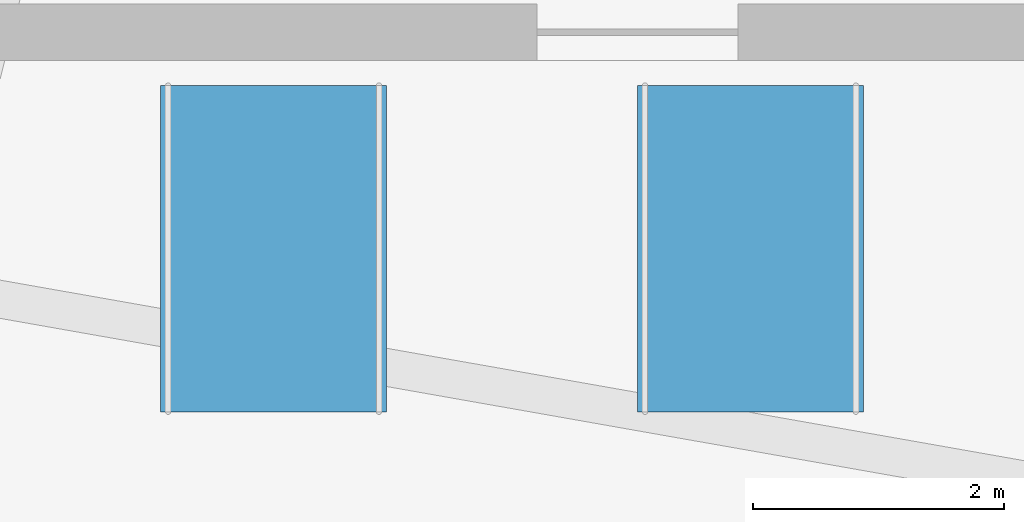
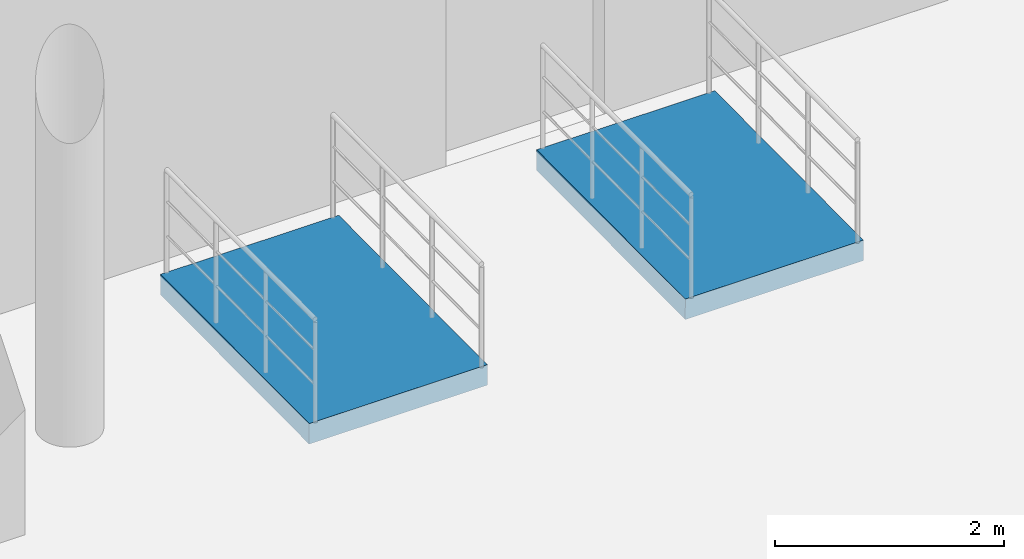
# One storey, part 57 of 64: 2 ramp flights, 2 elements without a shape of their own.
"""IFC4 building model written with IfcOpenShell, lengths in metres."""

from ifc_helpers import new_model, si_unit, direction, frame, origin, place, context, subcontext, project, spatial, polyline, outline, extrude, material, layer, layer_set, type_object, element, aggregate, save


model = new_model("IFC4")

# Units and contexts
model_context = context("Model", 3, precision=1e-05, world=origin(), true_north=direction((0.0, 1.0)))
body_context = subcontext(model_context, "Body", "Model", "MODEL_VIEW")
ifc_project = project(units=[si_unit("LENGTHUNIT", "METRE"), si_unit("AREAUNIT", "SQUARE_METRE"), si_unit("VOLUMEUNIT", "CUBIC_METRE"), si_unit("PLANEANGLEUNIT", "RADIAN"), si_unit("MASSUNIT", "GRAM", prefix="KILO")], contexts=[model_context])

# Site, building, storey
site_placement = place(None, origin())
site = spatial("IfcSite", under=ifc_project, at=site_placement, CompositionType="ELEMENT")
building_placement = place(site_placement, origin())
building = spatial("IfcBuilding", under=site, at=building_placement, Name="Clarverna Civic Hall", CompositionType="ELEMENT")
storey_placement = place(building_placement, origin())
storey = spatial("IfcBuildingStorey", under=building, at=storey_placement, Name="L00", CompositionType="ELEMENT", Elevation=0.0)

# Ramp, ramp flight
ifc_material = material(Name="Concrete C30/37", Category="concrete")
ramp_type = type_object("IfcRampType", Name="RMP-P1", PredefinedType="STRAIGHT_RUN_RAMP", material=ifc_material)
ramp_1_placement = place(storey_placement, origin())
ramp_1 = element("IfcRamp", 1, at=ramp_1_placement, inside=storey, type_object=ramp_type, Name="Pedestrian Ramp RMP-02", PredefinedType="STRAIGHT_RUN_RAMP")
ifc_layer = layer(ifc_material, 0.219970703125)
ifc_layer_set = layer_set([ifc_layer], Name="Concrete C30/37")
ramp_flight_type = type_object("IfcRampFlightType", Name="RF-P1", PredefinedType="STRAIGHT", material=ifc_layer_set)
ramp_flight_1_placement = place(storey_placement, frame((79.0, 20.199951171875, 0.0), z_axis=(0.0, -0.007699302302, 0.999970359933), x_axis=(1.0, 0.0, 0.0)))
ramp_flight_1 = element("IfcRampFlight", 2, at=ramp_flight_1_placement, type_object=ramp_flight_type, Name="RF-P1-001", PredefinedType="STRAIGHT", context=body_context, shape_type="SweptSolid", body=[
    extrude(outline(polyline([(0.0, 0.0), (1.800048828125, 0.0), (1.800048828125, 2.600174725603688), (0.0, 2.600174725603688), (0.0, 0.0)])), origin(), (0.0, 0.0, -1.0), 0.219970703125),
])
aggregate(ramp_1, [ramp_flight_1])

ramp_2_placement = place(storey_placement, origin())
ramp_2 = element("IfcRamp", 3, at=ramp_2_placement, inside=storey, type_object=ramp_type, Name="Pedestrian Ramp RMP-03", PredefinedType="STRAIGHT_RUN_RAMP")
ramp_flight_2_placement = place(storey_placement, frame((82.800048828125, 20.199951171875, 0.0), z_axis=(0.0, -0.007699302302, 0.999970359933), x_axis=(1.0, 0.0, 0.0)))
ramp_flight_2 = element("IfcRampFlight", 4, at=ramp_flight_2_placement, type_object=ramp_flight_type, Name="RF-P1-002", PredefinedType="STRAIGHT", context=body_context, shape_type="SweptSolid", body=[
    extrude(outline(polyline([(0.0, 0.0), (1.800048828125, 0.0), (1.800048828125, 2.600174725603688), (0.0, 2.600174725603688), (0.0, 0.0)])), origin(), (0.0, 0.0, -1.0), 0.219970703125),
])
aggregate(ramp_2, [ramp_flight_2])

save(model, "model.ifc")
